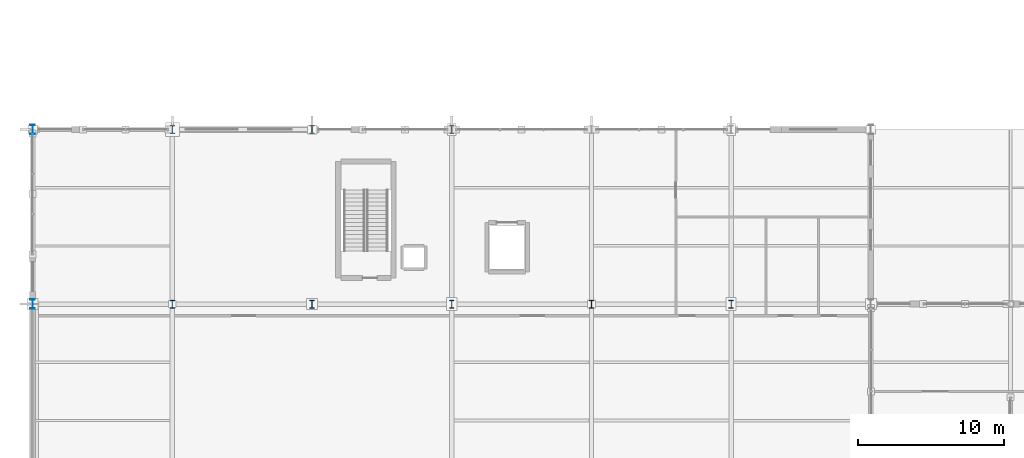
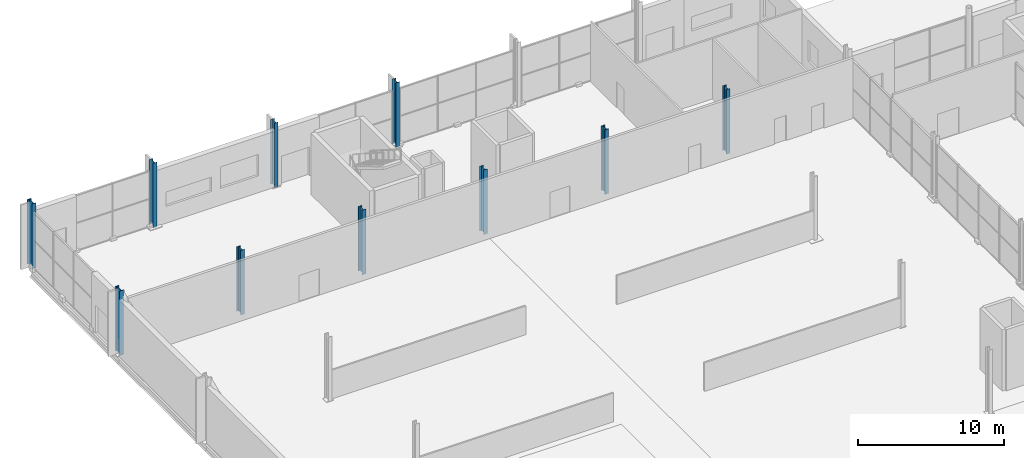
# One storey, part 11 of 196: 10 columns.
"""IFC4 building model written with IfcOpenShell, lengths in metres."""

import ifcopenshell
import ifcopenshell.guid

model = None  # the IFC model being written
_history = None  # IfcOwnerHistory: only IFC2X3 demands one
_inside = {}  # id of a spatial element -> (the spatial element, [elements in it])
_under = {}  # id of a project, library or spatial element -> (it, [spatial elements below it])
_declared = {}  # id of a project -> (the project, [libraries it declares])
_typed = {}  # id of a type object -> (the type object, [elements of that type])
_made_of = {}  # id of a material, layer set ... -> (it, [elements and type objects made of it])


def new_model(schema):
    """Start an empty IFC model of exactly this schema.

    Asked for "IFC4X3", IfcOpenShell would pick the latest addendum, in which some entities
    have other attributes; the version numbers below select the first issue.
    IFC2X3 requires an IfcOwnerHistory on every rooted entity: one is made here for all.
    """
    global model, _history
    if schema == "IFC4X3":
        model = ifcopenshell.file(schema_version=(4, 3, 0, 0))
    else:
        model = ifcopenshell.file(schema=schema)
    _inside.clear()
    _under.clear()
    _declared.clear()
    _typed.clear()
    _made_of.clear()
    _history = None
    if model.schema == "IFC2X3":
        org = make("IfcOrganization", Name="unknown")
        user = make(
            "IfcPersonAndOrganization",
            ThePerson=make("IfcPerson", FamilyName="unknown"),
            TheOrganization=org,
        )
        app = make(
            "IfcApplication",
            ApplicationDeveloper=org,
            Version="unknown",
            ApplicationFullName="unknown",
            ApplicationIdentifier="unknown",
        )
        _history = make(
            "IfcOwnerHistory",
            OwningUser=user,
            OwningApplication=app,
            ChangeAction="ADDED",
            CreationDate=0,
        )
    return model


def make(cls, **values):
    """One entity of the class cls with the attributes given. An attribute that is None is left unset."""
    return model.create_entity(
        cls, **{name: value for name, value in values.items() if value is not None}
    )


def rooted(cls, **values):
    """An entity with a GlobalId (a new one), such as an element, a storey or a relation."""
    return make(cls, GlobalId=ifcopenshell.guid.new(), OwnerHistory=_history, **values)


def si_unit(unit_type, name, prefix=None):
    """IfcSIUnit, for example si_unit("LENGTHUNIT", "METRE", prefix="MILLI")."""
    return make("IfcSIUnit", UnitType=unit_type, Prefix=prefix, Name=name)


def assignment(units):
    """IfcUnitAssignment: the units of a project."""
    return None if units is None else make("IfcUnitAssignment", Units=units)


def point(xyz):
    """IfcCartesianPoint."""
    return None if xyz is None else make("IfcCartesianPoint", Coordinates=xyz)


def direction(xyz):
    """IfcDirection."""
    return None if xyz is None else make("IfcDirection", DirectionRatios=xyz)


def frame(location, z_axis=None, x_axis=None):
    """IfcAxis2Placement3D, a coordinate frame: its origin and axes. An axis left out is left unset."""
    return make(
        "IfcAxis2Placement3D",
        Location=point(location),
        Axis=direction(z_axis),
        RefDirection=direction(x_axis),
    )


def frame_2d(location, x_axis=None):
    """IfcAxis2Placement2D, a coordinate frame in the plane: its origin and x axis."""
    return make(
        "IfcAxis2Placement2D", Location=point(location), RefDirection=direction(x_axis)
    )


def origin():
    """The frame at (0, 0, 0) with its axes left unset."""
    return frame((0.0, 0.0, 0.0))


def origin_2d():
    """The frame at (0, 0) in the plane with its x axis left unset."""
    return frame_2d((0.0, 0.0))


def place(relative_to, where):
    """IfcLocalPlacement: puts the frame where relative to a parent placement (None: the world)."""
    return make(
        "IfcLocalPlacement", PlacementRelTo=relative_to, RelativePlacement=where
    )


def context(
    kind, dimensions, precision=None, world=None, true_north=None, identifier=None
):
    """IfcGeometricRepresentationContext, for example the 3D "Model" context."""
    return make(
        "IfcGeometricRepresentationContext",
        ContextIdentifier=identifier,
        ContextType=kind,
        CoordinateSpaceDimension=dimensions,
        Precision=precision,
        WorldCoordinateSystem=world,
        TrueNorth=true_north,
    )


def subcontext(parent, identifier, kind, view, scale=None):
    """IfcGeometricRepresentationSubContext, for example "Body" below "Model"."""
    return make(
        "IfcGeometricRepresentationSubContext",
        ContextIdentifier=identifier,
        ContextType=kind,
        ParentContext=parent,
        TargetScale=scale,
        TargetView=view,
    )


def project(units=None, contexts=None):
    """IfcProject with its units and contexts."""
    return rooted(
        "IfcProject",
        Name="project",
        RepresentationContexts=contexts,
        UnitsInContext=assignment(units),
    )


def spatial(cls, under=None, at=None, **own):
    """A site, building, storey or space (cls), placed at a placement, below another one or the project."""
    s = rooted(cls, ObjectPlacement=at, **own)
    if under is not None:
        _under.setdefault(under.id(), (under, []))[1].append(s)
    return s


def profile(cls, at=None, kind="AREA", **sizes):
    """A parametric profile (cls). Its sizes go by their IFC names, for example OverallWidth=200.0."""
    return make(cls, ProfileType=kind, Position=at, **sizes)


def i_section(**sizes):
    """IfcIShapeProfileDef."""
    return profile("IfcIShapeProfileDef", **sizes)


def extrude(swept, where, along, depth):
    """IfcExtrudedAreaSolid: the profile swept, set in the frame where, extruded along a direction by depth."""
    return make(
        "IfcExtrudedAreaSolid",
        SweptArea=swept,
        Position=where,
        ExtrudedDirection=direction(along),
        Depth=depth,
    )


def shape(context_of_items, identifier, shape_type, items):
    """IfcShapeRepresentation: the items that make up one representation, for example the "Body"."""
    return make(
        "IfcShapeRepresentation",
        ContextOfItems=context_of_items,
        RepresentationIdentifier=identifier,
        RepresentationType=shape_type,
        Items=items,
    )


def material(Name=None, Category=None):
    """IfcMaterial."""
    return make("IfcMaterial", Name=Name, Category=Category)


def material_profile(
    of_material, cross_section, Name=None, Category=None, Priority=None
):
    """IfcMaterialProfile: a cross section and its material."""
    return make(
        "IfcMaterialProfile",
        Name=Name,
        Material=of_material,
        Profile=cross_section,
        Priority=Priority,
        Category=Category,
    )


def profile_set(profiles, Name=None, composite=None):
    """IfcMaterialProfileSet."""
    return make(
        "IfcMaterialProfileSet",
        Name=Name,
        MaterialProfiles=profiles,
        CompositeProfile=composite,
    )


def made_of(thing, what):
    """Note that an element or type object is made of a material, layer set ...; save() writes the relation."""
    if what is not None:
        _made_of.setdefault(what.id(), (what, []))[1].append(thing)
    return thing


def type_object(cls, material=None, **own):
    """A type object (cls), such as IfcWallType, which elements share."""
    return made_of(rooted(cls, **own), material)


def element(
    cls,
    number,
    at=None,
    inside=None,
    cuts=None,
    type_object=None,
    material=None,
    context=None,
    identifier="Body",
    shape_type=None,
    held_by="IfcProductDefinitionShape",
    body=None,
    shapes=None,
    **own,
):
    """One element of the class cls, such as IfcWall. Its Tag is "e" and its number.

    at: its placement. inside: the storey or other place that contains it. cuts: it is an
    opening in that element (IfcRelVoidsElement). A single representation is given by context,
    identifier, shape_type and body (its items); several are given by shapes. held_by: the class
    of the entity that holds the representations. save() writes the other relations.
    """
    e = rooted(cls, Tag="e%d" % number, ObjectPlacement=at, **own)
    if body is not None:
        shapes = [shape(context, identifier, shape_type, body)]
    if shapes is not None:
        e.Representation = make(held_by, Representations=shapes)
    if inside is not None:
        _inside.setdefault(inside.id(), (inside, []))[1].append(e)
    if cuts is not None:
        rooted(
            "IfcRelVoidsElement", RelatingBuildingElement=cuts, RelatedOpeningElement=e
        )
    if type_object is not None:
        _typed.setdefault(type_object.id(), (type_object, []))[1].append(e)
    return made_of(e, material)


def aggregate(whole, parts):
    """IfcRelAggregates: a whole, such as a stair, and the parts it consists of."""
    return rooted("IfcRelAggregates", RelatingObject=whole, RelatedObjects=parts)


def save(model, path):
    """Write the relations noted so far, then the file.

    IfcRelAggregates (storeys below a building ...), IfcRelContainedInSpatialStructure (elements
    in a storey), IfcRelDefinesByType, IfcRelAssociatesMaterial and IfcRelDeclares: one each for
    every whole, place, type object, material and project.
    """
    for whole, parts in _under.values():
        aggregate(whole, parts)
    for where, things in _inside.values():
        rooted(
            "IfcRelContainedInSpatialStructure",
            RelatedElements=things,
            RelatingStructure=where,
        )
    for kind, things in _typed.values():
        rooted("IfcRelDefinesByType", RelatedObjects=things, RelatingType=kind)
    for what, things in _made_of.values():
        rooted("IfcRelAssociatesMaterial", RelatedObjects=things, RelatingMaterial=what)
    for by, libraries in _declared.values():
        rooted("IfcRelDeclares", RelatingContext=by, RelatedDefinitions=libraries)
    model.write(path)


model = new_model("IFC4")

# Units and contexts
model_context = context("Model", 3, precision=1e-05, world=origin(), true_north=direction((0.0, 1.0)))
body_context = subcontext(model_context, "Body", "Model", "MODEL_VIEW")
ifc_project = project(units=[si_unit("LENGTHUNIT", "METRE"), si_unit("AREAUNIT", "SQUARE_METRE"), si_unit("VOLUMEUNIT", "CUBIC_METRE"), si_unit("PLANEANGLEUNIT", "RADIAN"), si_unit("MASSUNIT", "GRAM", prefix="KILO")], contexts=[model_context])

# Site, building, storey
site_placement = place(None, origin())
site = spatial("IfcSite", under=ifc_project, at=site_placement, CompositionType="ELEMENT")
building_placement = place(site_placement, origin())
building = spatial("IfcBuilding", under=site, at=building_placement, Name="Merenkruunu Market Hall", CompositionType="ELEMENT")
storey_placement = place(building_placement, origin())
storey = spatial("IfcBuildingStorey", under=building, at=storey_placement, Name="L00", CompositionType="ELEMENT", Elevation=0.0)

# Columns
ifc_material_1 = material(Name="Steel S355ML", Category="steel")
ifc_material_profile_1 = material_profile(ifc_material_1, i_section(OverallWidth=0.300048828125, OverallDepth=0.64990234375, WebThickness=0.01611328125, FlangeThickness=0.031005859375, FilletRadius=0.027099609375, at=origin_2d()), Name="HEB 650")
ifc_profile_set_1 = profile_set([ifc_material_profile_1], Name="Steel S355ML")
column_type_1 = type_object("IfcColumnType", Name="Structural Column C01", PredefinedType="COLUMN", material=ifc_profile_set_1)
for number, where, z_axis, x_axis, name in (
    (1, (0.0, 99.60009765625, 0.0), (0.0, 0.0, 1.0), (1.0, 0.0, 0.0), "COL-L00-A-11"),
    (2, (0.0, 111.60009765625, 0.0), (0.0, 0.0, 1.0), (1.0, 0.0, 0.0), "COL-L00-A-12"),
):
    element("IfcColumn", number, at=place(storey_placement, frame(where, z_axis=z_axis, x_axis=x_axis)), inside=storey, type_object=column_type_1, Name=name, PredefinedType="COLUMN", context=body_context, shape_type="SweptSolid", body=[
        extrude(i_section(OverallWidth=0.300048828125, OverallDepth=0.64990234375, WebThickness=0.01611328125, FlangeThickness=0.031005859375, FilletRadius=0.027099609375, at=origin_2d()), origin(), (0.0, 0.0, 1.0), 5.39990234375),
    ])
ifc_material_2 = material(Name="Steel S355J2", Category="steel")
ifc_material_profile_2 = material_profile(ifc_material_2, i_section(OverallWidth=0.300048828125, OverallDepth=0.5400390625, WebThickness=0.012451171875, FlangeThickness=0.02392578125, FilletRadius=0.027099609375, at=origin_2d()), Name="HEA 550")
ifc_profile_set_2 = profile_set([ifc_material_profile_2], Name="Steel S355J2")
column_type_2 = type_object("IfcColumnType", Name="Structural Column C06", PredefinedType="COLUMN", material=ifc_profile_set_2)
for number, where, z_axis, x_axis, name in (
    (3, (9.60009765625, 99.60009765625, 0.0), (0.0, 0.0, 1.0), (1.0, 0.0, 0.0), "COL-L00-B-11"),
    (4, (9.60009765625, 111.60009765625, 0.0), (0.0, 0.0, 1.0), (1.0, 0.0, 0.0), "COL-L00-B-12"),
    (5, (19.199951171875, 99.60009765625, 0.0), (0.0, 0.0, 1.0), (1.0, 0.0, 0.0), "COL-L00-C-11"),
    (6, (19.199951171875, 111.60009765625, 0.0), (0.0, 0.0, 1.0), (1.0, 0.0, 0.0), "COL-L00-C-12"),
    (7, (28.800048828125, 99.60009765625, 0.0), (0.0, 0.0, 1.0), (1.0, 0.0, 0.0), "COL-L00-D-11"),
    (8, (28.800048828125, 111.60009765625, 0.0), (0.0, 0.0, 1.0), (1.0, 0.0, 0.0), "COL-L00-D-12"),
    (9, (38.39990234375, 99.60009765625, 0.0), (0.0, 0.0, 1.0), (1.0, 0.0, 0.0), "COL-L00-E-11"),
    (10, (48.0, 99.60009765625, 0.0), (0.0, 0.0, 1.0), (1.0, 0.0, 0.0), "COL-L00-F-11"),
):
    element("IfcColumn", number, at=place(storey_placement, frame(where, z_axis=z_axis, x_axis=x_axis)), inside=storey, type_object=column_type_2, Name=name, PredefinedType="COLUMN", context=body_context, shape_type="SweptSolid", body=[
        extrude(i_section(OverallWidth=0.300048828125, OverallDepth=0.5400390625, WebThickness=0.012451171875, FlangeThickness=0.02392578125, FilletRadius=0.027099609375, at=origin_2d()), origin(), (0.0, 0.0, 1.0), 5.39990234375),
    ])

save(model, "model.ifc")
